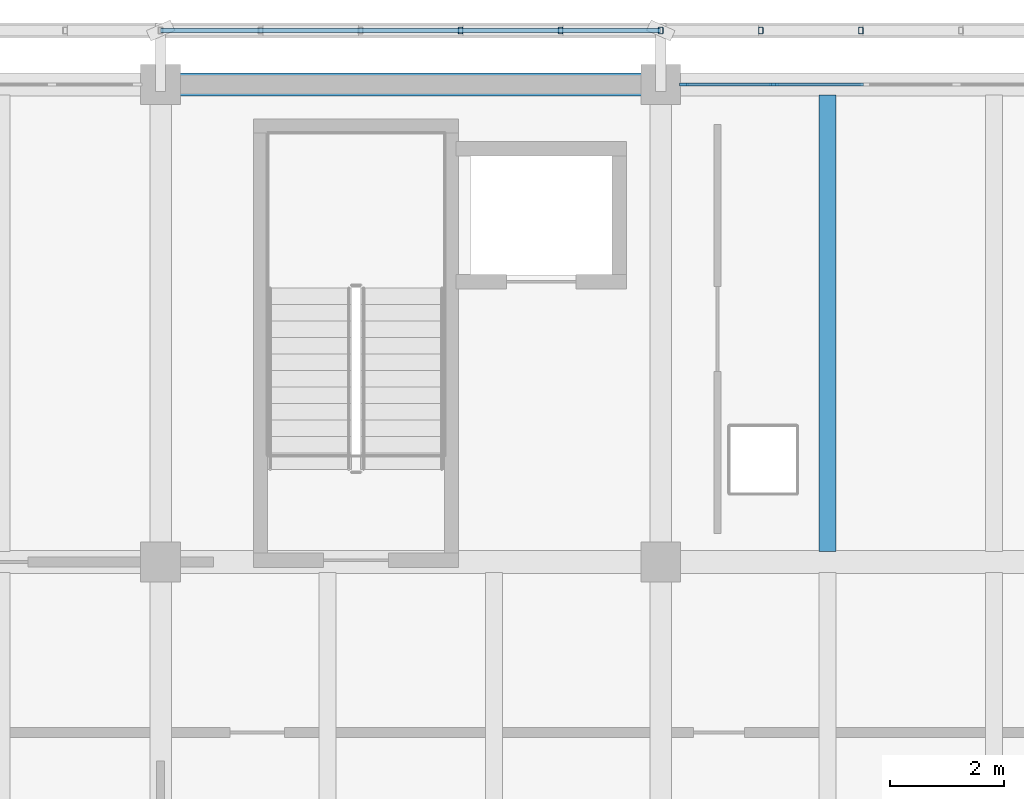
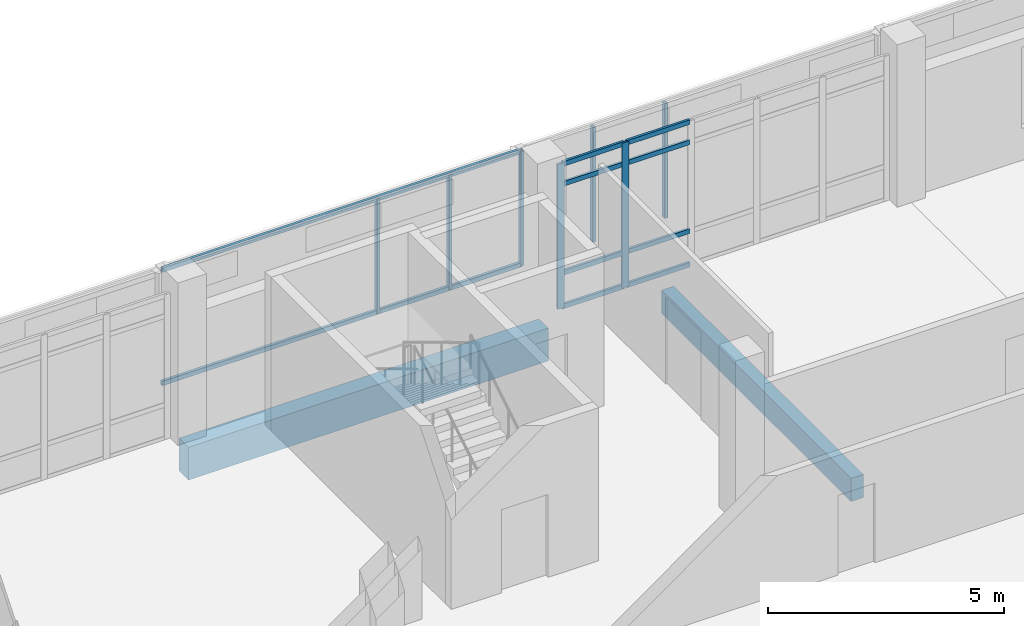
# One storey, part 68 of 137: 17 members, 2 beams, 1 element without a shape of its own.
"""IFC4 building model written with IfcOpenShell, lengths in metres."""

from ifc_helpers import new_model, si_unit, direction, frame, origin, origin_2d, place, context, subcontext, project, spatial, rectangle, hollow_rectangle, extrude, material, material_profile, profile_set, type_object, element, aggregate, save


model = new_model("IFC4")

# Units and contexts
model_context = context("Model", 3, precision=1e-05, world=origin(), true_north=direction((0.0, 1.0)))
body_context = subcontext(model_context, "Body", "Model", "MODEL_VIEW")
ifc_project = project(units=[si_unit("LENGTHUNIT", "METRE"), si_unit("AREAUNIT", "SQUARE_METRE"), si_unit("VOLUMEUNIT", "CUBIC_METRE"), si_unit("PLANEANGLEUNIT", "RADIAN"), si_unit("MASSUNIT", "GRAM", prefix="KILO")], contexts=[model_context])

# Site, building, storey
site_placement = place(None, origin())
site = spatial("IfcSite", under=ifc_project, at=site_placement, CompositionType="ELEMENT")
building_placement = place(site_placement, origin())
building = spatial("IfcBuilding", under=site, at=building_placement, Name="Cinderway Yard Community Centre", CompositionType="ELEMENT")
storey_placement = place(building_placement, frame((0.0, 0.0, 4.800048828125)))
storey = spatial("IfcBuildingStorey", under=building, at=storey_placement, Name="L01", CompositionType="ELEMENT", Elevation=4.800048828125)

# Curtain wall, members
ifc_material_1 = material(Name="Aluminium 6063-T6", Category="aluminium")
curtain_wall_type = type_object("IfcCurtainWallType", Name="ENV-CW-TYPE-27", PredefinedType="USERDEFINED", material=ifc_material_1)
curtain_wall_placement = place(storey_placement, origin())
curtain_wall = element("IfcCurtainWall", 1, at=curtain_wall_placement, inside=storey, type_object=curtain_wall_type, Name="V4 Street Curtain Wall ENV-CW-L01-ST-0129", ObjectType="GLAZED CURTAIN WALL", PredefinedType="USERDEFINED")
ifc_material_profile_1 = material_profile(ifc_material_1, rectangle(XDim=0.06005859375, YDim=0.159912109375, at=origin_2d()), Name="Aluminium 6063-T6")
ifc_profile_set_1 = profile_set([ifc_material_profile_1], Name="Aluminium 6063-T6")
member_type_1 = type_object("IfcMemberType", Name="ENV-CW-MULL-150", PredefinedType="MULLION", material=ifc_profile_set_1)
member_1_placement = place(storey_placement, frame((84.409912109375, 115.199951171875, 0.0), z_axis=(0.0, 0.0, 1.0), x_axis=(0.0, 1.0, 0.0)))
member_1 = element("IfcMember", 2, at=member_1_placement, type_object=member_type_1, Name="CW-27 mullion 1", PredefinedType="MULLION", context=body_context, shape_type="SweptSolid", body=[
    extrude(rectangle(XDim=0.06005859375, YDim=0.159912109375, at=origin_2d()), origin(), (0.0, 0.0, 1.0), 3.75),
])
member_2_placement = place(storey_placement, frame((85.988037109375, 115.199951171875, 0.0), z_axis=(0.0, 0.0, 1.0), x_axis=(0.0, 1.0, 0.0)))
member_2 = element("IfcMember", 3, at=member_2_placement, type_object=member_type_1, Name="CW-27 mullion 2", PredefinedType="MULLION", context=body_context, shape_type="SweptSolid", body=[
    extrude(rectangle(XDim=0.06005859375, YDim=0.159912109375, at=origin_2d()), origin(), (0.0, 0.0, 1.0), 3.75),
])
ifc_material_profile_2 = material_profile(ifc_material_1, rectangle(XDim=0.06005859375, YDim=0.1201171875, at=origin_2d()), Name="Aluminium 6063-T6")
ifc_profile_set_2 = profile_set([ifc_material_profile_2], Name="Aluminium 6063-T6")
member_type_2 = type_object("IfcMemberType", Name="ENV-CW-TRAN-110", PredefinedType="USERDEFINED", material=ifc_profile_set_2)
member_3_placement = place(storey_placement, frame((84.43994140625, 115.199951171875, 0.030029296875), z_axis=(1.0, 0.0, 0.0), x_axis=(0.0, 1.0, 0.0)))
member_3 = element("IfcMember", 4, at=member_3_placement, type_object=member_type_2, Name="CW-27 transom 1.1", ObjectType="TRANSOM", PredefinedType="USERDEFINED", context=body_context, shape_type="SweptSolid", body=[
    extrude(rectangle(XDim=0.06005859375, YDim=0.1201171875, at=origin_2d()), origin(), (0.0, 0.0, 1.0), 1.51806640625),
])
member_4_placement = place(storey_placement, frame((84.43994140625, 115.199951171875, 0.89990234375), z_axis=(1.0, 0.0, 0.0), x_axis=(0.0, 1.0, 0.0)))
member_4 = element("IfcMember", 5, at=member_4_placement, type_object=member_type_2, Name="CW-27 transom 1.2", ObjectType="TRANSOM", PredefinedType="USERDEFINED", context=body_context, shape_type="SweptSolid", body=[
    extrude(rectangle(XDim=0.06005859375, YDim=0.1201171875, at=origin_2d()), origin(), (0.0, 0.0, 1.0), 1.51806640625),
])
member_5_placement = place(storey_placement, frame((84.43994140625, 115.199951171875, 3.199951171875), z_axis=(1.0, 0.0, 0.0), x_axis=(0.0, 1.0, 0.0)))
member_5 = element("IfcMember", 6, at=member_5_placement, type_object=member_type_2, Name="CW-27 transom 1.3", ObjectType="TRANSOM", PredefinedType="USERDEFINED", context=body_context, shape_type="SweptSolid", body=[
    extrude(rectangle(XDim=0.06005859375, YDim=0.1201171875, at=origin_2d()), origin(), (0.0, 0.0, 1.0), 1.51806640625),
])
member_6_placement = place(storey_placement, frame((84.43994140625, 115.199951171875, 3.719970703125), z_axis=(1.0, 0.0, 0.0), x_axis=(0.0, 1.0, 0.0)))
member_6 = element("IfcMember", 7, at=member_6_placement, type_object=member_type_2, Name="CW-27 transom 1.4", ObjectType="TRANSOM", PredefinedType="USERDEFINED", context=body_context, shape_type="SweptSolid", body=[
    extrude(rectangle(XDim=0.06005859375, YDim=0.1201171875, at=origin_2d()), origin(), (0.0, 0.0, 1.0), 1.51806640625),
])
member_7_placement = place(storey_placement, frame((86.01806640625, 115.199951171875, 0.030029296875), z_axis=(1.0, 0.0, 0.0), x_axis=(0.0, 1.0, 0.0)))
member_7 = element("IfcMember", 8, at=member_7_placement, type_object=member_type_2, Name="CW-27 transom 2.1", ObjectType="TRANSOM", PredefinedType="USERDEFINED", context=body_context, shape_type="SweptSolid", body=[
    extrude(rectangle(XDim=0.06005859375, YDim=0.1201171875, at=origin_2d()), origin(), (0.0, 0.0, 1.0), 1.5478515625),
])
member_8_placement = place(storey_placement, frame((86.01806640625, 115.199951171875, 0.89990234375), z_axis=(1.0, 0.0, 0.0), x_axis=(0.0, 1.0, 0.0)))
member_8 = element("IfcMember", 9, at=member_8_placement, type_object=member_type_2, Name="CW-27 transom 2.2", ObjectType="TRANSOM", PredefinedType="USERDEFINED", context=body_context, shape_type="SweptSolid", body=[
    extrude(rectangle(XDim=0.06005859375, YDim=0.1201171875, at=origin_2d()), origin(), (0.0, 0.0, 1.0), 1.5478515625),
])
member_9_placement = place(storey_placement, frame((86.01806640625, 115.199951171875, 3.199951171875), z_axis=(1.0, 0.0, 0.0), x_axis=(0.0, 1.0, 0.0)))
member_9 = element("IfcMember", 10, at=member_9_placement, type_object=member_type_2, Name="CW-27 transom 2.3", ObjectType="TRANSOM", PredefinedType="USERDEFINED", context=body_context, shape_type="SweptSolid", body=[
    extrude(rectangle(XDim=0.06005859375, YDim=0.1201171875, at=origin_2d()), origin(), (0.0, 0.0, 1.0), 1.5478515625),
])
member_10_placement = place(storey_placement, frame((86.01806640625, 115.199951171875, 3.719970703125), z_axis=(1.0, 0.0, 0.0), x_axis=(0.0, 1.0, 0.0)))
member_10 = element("IfcMember", 11, at=member_10_placement, type_object=member_type_2, Name="CW-27 transom 2.4", ObjectType="TRANSOM", PredefinedType="USERDEFINED", context=body_context, shape_type="SweptSolid", body=[
    extrude(rectangle(XDim=0.06005859375, YDim=0.1201171875, at=origin_2d()), origin(), (0.0, 0.0, 1.0), 1.5478515625),
])
aggregate(curtain_wall, [member_1, member_2, member_3, member_4, member_5, member_6, member_7, member_8, member_9, member_10])

# Members
ifc_material_2 = material(Name="Steel S355", Category="steel")
ifc_material_profile_3 = material_profile(ifc_material_2, hollow_rectangle(XDim=0.080078125, YDim=0.1201171875, WallThickness=0.00634765625, InnerFilletRadius=0.00634765625, OuterFilletRadius=0.0126953125, at=origin_2d()), Name="Steel S355")
ifc_profile_set_3 = profile_set([ifc_material_profile_3], Name="Steel S355")
member_type_3 = type_object("IfcMemberType", Name="ENV-MEM-SCREEN-RAIL-120", PredefinedType="STRINGER", material=ifc_profile_set_3)
for number, where, z_axis, x_axis, name in (
    (12, (75.199951171875, 116.14990234375, 0.7099609375), (1.0, 0.0, 0.0), (0.0, 1.0, 0.0), "Screen support rail 0034-BOT"),
    (13, (75.199951171875, 116.14990234375, 3.639892578125), (1.0, 0.0, 0.0), (0.0, 1.0, 0.0), "Screen support rail 0035-TOP"),
):
    element("IfcMember", number, at=place(storey_placement, frame(where, z_axis=z_axis, x_axis=x_axis)), inside=storey, type_object=member_type_3, Name=name, PredefinedType="STRINGER", context=body_context, shape_type="SweptSolid", body=[
        extrude(hollow_rectangle(XDim=0.080078125, YDim=0.1201171875, WallThickness=0.00634765625, InnerFilletRadius=0.00634765625, OuterFilletRadius=0.0126953125, at=origin_2d()), origin(), (0.0, 0.0, 1.0), 8.800048828125),
    ])
for number, where, z_axis, x_axis, name in (
    (14, (80.47998046875, 116.14990234375, 0.68994140625), (0.0, 0.0, 1.0), (1.0, 0.0, 0.0), "Screen vertical mullion 0038"),
    (15, (82.239990234375, 116.14990234375, 0.68994140625), (0.0, 0.0, 1.0), (1.0, 0.0, 0.0), "Screen vertical mullion 0039"),
    (16, (84.0, 116.14990234375, 0.68994140625), (0.0, 0.0, 1.0), (1.0, 0.0, 0.0), "Screen vertical mullion 0040"),
    (17, (85.760009765625, 116.14990234375, 0.68994140625), (0.0, 0.0, 1.0), (1.0, 0.0, 0.0), "Screen vertical mullion 0044"),
    (18, (87.52001953125, 116.14990234375, 0.68994140625), (0.0, 0.0, 1.0), (1.0, 0.0, 0.0), "Screen vertical mullion 0045"),
):
    element("IfcMember", number, at=place(storey_placement, frame(where, z_axis=z_axis, x_axis=x_axis)), inside=storey, type_object=member_type_3, Name=name, PredefinedType="STRINGER", context=body_context, shape_type="SweptSolid", body=[
        extrude(hollow_rectangle(XDim=0.080078125, YDim=0.1201171875, WallThickness=0.00634765625, InnerFilletRadius=0.00634765625, OuterFilletRadius=0.0126953125, at=origin_2d()), origin(), (0.0, 0.0, 1.0), 2.969970703125),
    ])

# Beams
ifc_material_3 = material(Name="Concrete C35/45", Category="concrete")
ifc_material_profile_4 = material_profile(ifc_material_3, rectangle(XDim=0.300048828125, YDim=0.60009765625, at=origin_2d()), Name="Concrete C35/45")
ifc_profile_set_4 = profile_set([ifc_material_profile_4], Name="Concrete C35/45")
beam_type_1 = type_object("IfcBeamType", Name="STR-BM-RC300X600", PredefinedType="JOIST", material=ifc_profile_set_4)
beam_1_placement = place(storey_placement, frame((86.93310546875, 106.98193359375, -0.56005859375), z_axis=(0.0, 1.0, 0.0), x_axis=(-1.0, 0.0, 0.0)))
element("IfcBeam", 19, at=beam_1_placement, inside=storey, type_object=beam_type_1, Name="Secondary joist STR-BM-L01-BJ02-0289", PredefinedType="JOIST", context=body_context, shape_type="SweptSolid", body=[
    extrude(rectangle(XDim=0.300048828125, YDim=0.60009765625, at=origin_2d()), origin(), (0.0, 0.0, 1.0), 8.0361328125),
])
ifc_material_4 = material(Name="Concrete C40/50", Category="concrete")
ifc_material_profile_5 = material_profile(ifc_material_4, rectangle(XDim=0.39990234375, YDim=0.85009765625, at=origin_2d()), Name="Concrete C40/50")
ifc_profile_set_5 = profile_set([ifc_material_profile_5], Name="Concrete C40/50")
beam_type_2 = type_object("IfcBeamType", Name="STR-BM-RC400X850", PredefinedType="BEAM", material=ifc_profile_set_5)
beam_2_placement = place(storey_placement, frame((75.199951171875, 115.199951171875, -0.68505859375), z_axis=(1.0, 0.0, 0.0), x_axis=(0.0, 1.0, 0.0)))
element("IfcBeam", 20, at=beam_2_placement, inside=storey, type_object=beam_type_2, Name="Primary girder STR-BM-L01-BG04-0212", PredefinedType="BEAM", context=body_context, shape_type="SweptSolid", body=[
    extrude(rectangle(XDim=0.39990234375, YDim=0.85009765625, at=origin_2d()), origin(), (0.0, 0.0, 1.0), 8.800048828125),
])

save(model, "model.ifc")
